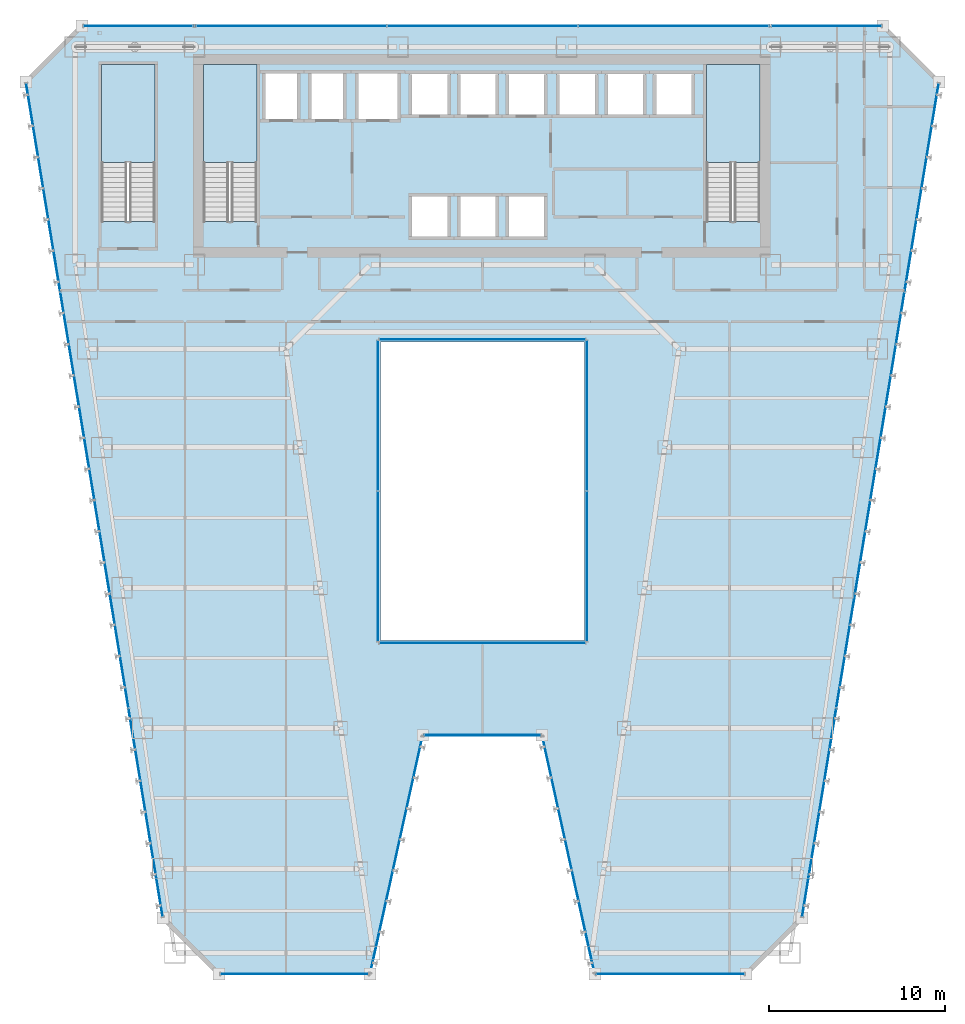
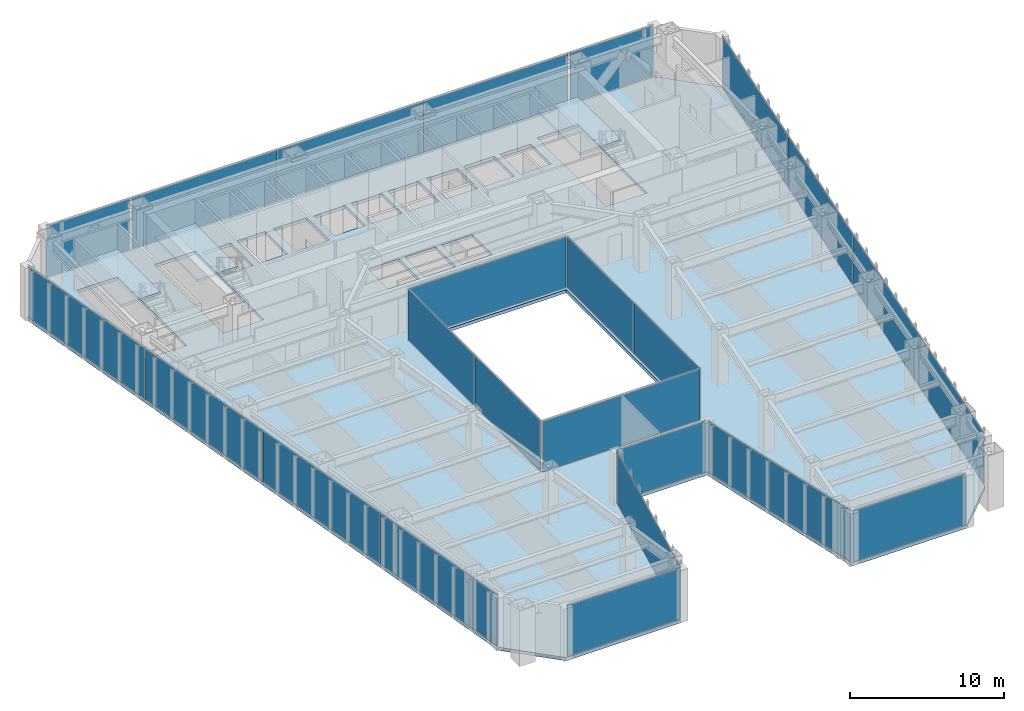
# One storey, part 34 of 47: 24 plates, 4 slabs, 17 elements without a shape of their own.
"""IFC4 building model written with IfcOpenShell, lengths in metres."""

from ifc_helpers import new_model, si_unit, direction, frame, origin, origin_2d, place, context, subcontext, project, spatial, polyline, rectangle, outline, extrude, material, layer, layer_set, type_object, element, aggregate, save


model = new_model("IFC4")

# Units and contexts
model_context = context("Model", 3, precision=1e-05, world=origin(), true_north=direction((0.0, 1.0)))
body_context = subcontext(model_context, "Body", "Model", "MODEL_VIEW")
ifc_project = project(units=[si_unit("LENGTHUNIT", "METRE"), si_unit("AREAUNIT", "SQUARE_METRE"), si_unit("VOLUMEUNIT", "CUBIC_METRE"), si_unit("PLANEANGLEUNIT", "RADIAN"), si_unit("MASSUNIT", "GRAM", prefix="KILO")], contexts=[model_context])

# Site, building, storey
site_placement = place(None, origin())
site = spatial("IfcSite", under=ifc_project, at=site_placement, CompositionType="ELEMENT")
building_placement = place(site_placement, origin())
building = spatial("IfcBuilding", under=site, at=building_placement, Name="Saevonmaru Cultural Tower", CompositionType="ELEMENT")
storey_placement = place(building_placement, frame((0.0, 0.0, 51.60009765625)))
storey = spatial("IfcBuildingStorey", under=building, at=storey_placement, Name="L10", CompositionType="ELEMENT", Elevation=51.60009765625)

# Curtain wall, plate
ifc_material_1 = material(Name="Satin Bronze Anodised Aluminium", Category="aluminium")
curtain_wall_type_1 = type_object("IfcCurtainWallType", Name="CW-ATR-GLZ", PredefinedType="NOTDEFINED", material=ifc_material_1)
curtain_wall_1_placement = place(storey_placement, origin())
curtain_wall_1 = element("IfcCurtainWall", 1, at=curtain_wall_1_placement, inside=storey, type_object=curtain_wall_type_1, Name="L10 Vertical Atrium Glazed Smoke Screen 1", PredefinedType="NOTDEFINED")
ifc_material_2 = material(Name="Fire-Rated Laminated Atrium Glass", Category="glass")
ifc_layer_1 = layer(ifc_material_2, 0.031982421875, Name="Fire-Rated Laminated Atrium Glass")
ifc_layer_set_1 = layer_set([ifc_layer_1], Name="Fire-Rated Laminated Atrium Glass")
plate_type_1 = type_object("IfcPlateType", Name="PN-GLZ-ATR-INT", PredefinedType="CURTAIN_PANEL", material=ifc_layer_set_1)
plate_1_placement = place(storey_placement, frame((30.0, 20.85009765625, 0.06689453125), z_axis=(0.0, 0.0, 1.0), x_axis=(1.0, 0.0, 0.0)))
plate_1 = element("IfcPlate", 2, at=plate_1_placement, type_object=plate_type_1, Name="CW-ATR-L10-1 panel 1.1", PredefinedType="CURTAIN_PANEL", context=body_context, shape_type="SweptSolid", body=[
    extrude(rectangle(XDim=11.7109375, YDim=0.031982421875, at=origin_2d()), origin(), (0.0, 0.0, 1.0), 4.01611328125),
])
aggregate(curtain_wall_1, [plate_1])

# Curtain wall, plates
curtain_wall_2_placement = place(storey_placement, origin())
curtain_wall_2 = element("IfcCurtainWall", 3, at=curtain_wall_2_placement, inside=storey, type_object=curtain_wall_type_1, Name="L10 Vertical Atrium Glazed Smoke Screen 2", PredefinedType="NOTDEFINED")
plate_2_placement = place(storey_placement, frame((35.949951171875, 25.205078125, 0.06689453125), z_axis=(0.0, 0.0, 1.0), x_axis=(0.0, 1.0, 0.0)))
plate_2 = element("IfcPlate", 4, at=plate_2_placement, type_object=plate_type_1, Name="CW-ATR-L10-2 panel 1.1", PredefinedType="CURTAIN_PANEL", context=body_context, shape_type="SweptSolid", body=[
    extrude(rectangle(XDim=8.52099609375, YDim=0.031982421875, at=origin_2d()), origin(), (0.0, 0.0, 1.0), 4.01611328125),
])
plate_3_placement = place(storey_placement, frame((35.949951171875, 33.794921875, 0.06689453125), z_axis=(0.0, 0.0, 1.0), x_axis=(0.0, 1.0, 0.0)))
plate_3 = element("IfcPlate", 5, at=plate_3_placement, type_object=plate_type_1, Name="CW-ATR-L10-2 panel 2.1", PredefinedType="CURTAIN_PANEL", context=body_context, shape_type="SweptSolid", body=[
    extrude(rectangle(XDim=8.52099609375, YDim=0.031982421875, at=origin_2d()), origin(), (0.0, 0.0, 1.0), 4.01611328125),
])
aggregate(curtain_wall_2, [plate_2, plate_3])

# Curtain wall, plate
curtain_wall_3_placement = place(storey_placement, origin())
curtain_wall_3 = element("IfcCurtainWall", 6, at=curtain_wall_3_placement, inside=storey, type_object=curtain_wall_type_1, Name="L10 Vertical Atrium Glazed Smoke Screen 3", PredefinedType="NOTDEFINED")
plate_4_placement = place(storey_placement, frame((30.0, 38.14990234375, 0.06689453125), z_axis=(0.0, 0.0, 1.0), x_axis=(-1.0, 0.0, 0.0)))
plate_4 = element("IfcPlate", 7, at=plate_4_placement, type_object=plate_type_1, Name="CW-ATR-L10-3 panel 1.1", PredefinedType="CURTAIN_PANEL", context=body_context, shape_type="SweptSolid", body=[
    extrude(rectangle(XDim=11.7109375, YDim=0.031982421875, at=origin_2d()), origin(), (0.0, 0.0, 1.0), 4.01611328125),
])
aggregate(curtain_wall_3, [plate_4])

# Curtain wall, plates
curtain_wall_4_placement = place(storey_placement, origin())
curtain_wall_4 = element("IfcCurtainWall", 8, at=curtain_wall_4_placement, inside=storey, type_object=curtain_wall_type_1, Name="L10 Vertical Atrium Glazed Smoke Screen 4", PredefinedType="NOTDEFINED")
plate_5_placement = place(storey_placement, frame((24.050048828125, 33.794921875, 0.06689453125), z_axis=(0.0, 0.0, 1.0), x_axis=(0.0, -1.0, 0.0)))
plate_5 = element("IfcPlate", 9, at=plate_5_placement, type_object=plate_type_1, Name="CW-ATR-L10-4 panel 1.1", PredefinedType="CURTAIN_PANEL", context=body_context, shape_type="SweptSolid", body=[
    extrude(rectangle(XDim=8.52099609375, YDim=0.031982421875, at=origin_2d()), origin(), (0.0, 0.0, 1.0), 4.01611328125),
])
plate_6_placement = place(storey_placement, frame((24.050048828125, 25.205078125, 0.06689453125), z_axis=(0.0, 0.0, 1.0), x_axis=(0.0, -1.0, 0.0)))
plate_6 = element("IfcPlate", 10, at=plate_6_placement, type_object=plate_type_1, Name="CW-ATR-L10-4 panel 2.1", PredefinedType="CURTAIN_PANEL", context=body_context, shape_type="SweptSolid", body=[
    extrude(rectangle(XDim=8.52099609375, YDim=0.031982421875, at=origin_2d()), origin(), (0.0, 0.0, 1.0), 4.01611328125),
])
aggregate(curtain_wall_4, [plate_5, plate_6])

# Curtain wall, plate
curtain_wall_type_2 = type_object("IfcCurtainWallType", Name="CW-TYP-A", PredefinedType="NOTDEFINED", material=ifc_material_1)
curtain_wall_5_placement = place(storey_placement, origin())
curtain_wall_5 = element("IfcCurtainWall", 11, at=curtain_wall_5_placement, inside=storey, type_object=curtain_wall_type_2, Name="L10 Unitised Curtain Wall E2", PredefinedType="NOTDEFINED")
ifc_material_3 = material(Name="Triple Silver Low-E Insulating Glass", Category="glass")
ifc_layer_2 = layer(ifc_material_3, 0.035888671875, Name="Triple Silver Low-E Insulating Glass")
ifc_layer_set_2 = layer_set([ifc_layer_2], Name="Triple Silver Low-E Insulating Glass")
plate_type_2 = type_object("IfcPlateType", Name="PN-GLZ-IGU", PredefinedType="CURTAIN_PANEL", material=ifc_layer_set_2)
plate_7_placement = place(storey_placement, frame((19.300048828125, 2.0, 0.06689453125), z_axis=(0.0, 0.0, 1.0), x_axis=(1.0, 0.0, 0.0)))
plate_7 = element("IfcPlate", 12, at=plate_7_placement, type_object=plate_type_2, Name="CW-TW-L10-E2 panel 1.1", PredefinedType="CURTAIN_PANEL", context=body_context, shape_type="SweptSolid", body=[
    extrude(rectangle(XDim=8.410888671875, YDim=0.035888671875, at=origin_2d()), origin(), (0.0, 0.0, 1.0), 4.01611328125),
])
aggregate(curtain_wall_5, [plate_7])

curtain_wall_6_placement = place(storey_placement, origin())
curtain_wall_6 = element("IfcCurtainWall", 13, at=curtain_wall_6_placement, inside=storey, type_object=curtain_wall_type_2, Name="L10 Unitised Curtain Wall E3", PredefinedType="NOTDEFINED")
plate_8_placement = place(storey_placement, frame((25.10009765625, 8.800048828125, 0.06689453125), z_axis=(0.0, 0.0, 1.0), x_axis=(0.215413319953, 0.976522965212, 0.0)))
plate_8 = element("IfcPlate", 14, at=plate_8_placement, type_object=plate_type_2, Name="CW-TW-L10-E3 panel 1.1", PredefinedType="CURTAIN_PANEL", context=body_context, shape_type="SweptSolid", body=[
    extrude(rectangle(XDim=13.738037109375, YDim=0.035888671875, at=origin_2d()), origin(), (0.0, 0.0, 1.0), 4.01611328125),
])
aggregate(curtain_wall_6, [plate_8])

curtain_wall_7_placement = place(storey_placement, origin())
curtain_wall_7 = element("IfcCurtainWall", 15, at=curtain_wall_7_placement, inside=storey, type_object=curtain_wall_type_2, Name="L10 Unitised Curtain Wall E4", PredefinedType="NOTDEFINED")
plate_9_placement = place(storey_placement, frame((30.0, 15.60009765625, 0.06689453125), z_axis=(0.0, 0.0, 1.0), x_axis=(1.0, 0.0, 0.0)))
plate_9 = element("IfcPlate", 16, at=plate_9_placement, type_object=plate_type_2, Name="CW-TW-L10-E4 panel 1.1", PredefinedType="CURTAIN_PANEL", context=body_context, shape_type="SweptSolid", body=[
    extrude(rectangle(XDim=6.611083984375, YDim=0.035888671875, at=origin_2d()), origin(), (0.0, 0.0, 1.0), 4.01611328125),
])
aggregate(curtain_wall_7, [plate_9])

curtain_wall_8_placement = place(storey_placement, origin())
curtain_wall_8 = element("IfcCurtainWall", 17, at=curtain_wall_8_placement, inside=storey, type_object=curtain_wall_type_2, Name="L10 Unitised Curtain Wall E5", PredefinedType="NOTDEFINED")
plate_10_placement = place(storey_placement, frame((34.89990234375, 8.800048828125, 0.06689453125), z_axis=(0.0, 0.0, 1.0), x_axis=(0.215413319953, -0.976522965212, 0.0)))
plate_10 = element("IfcPlate", 18, at=plate_10_placement, type_object=plate_type_2, Name="CW-TW-L10-E5 panel 1.1", PredefinedType="CURTAIN_PANEL", context=body_context, shape_type="SweptSolid", body=[
    extrude(rectangle(XDim=13.738037109375, YDim=0.035888671875, at=origin_2d()), origin(), (0.0, 0.0, 1.0), 4.01611328125),
])
aggregate(curtain_wall_8, [plate_10])

curtain_wall_9_placement = place(storey_placement, origin())
curtain_wall_9 = element("IfcCurtainWall", 19, at=curtain_wall_9_placement, inside=storey, type_object=curtain_wall_type_2, Name="L10 Unitised Curtain Wall E6", PredefinedType="NOTDEFINED")
plate_11_placement = place(storey_placement, frame((40.699951171875, 2.0, 0.06689453125), z_axis=(0.0, 0.0, 1.0), x_axis=(1.0, 0.0, 0.0)))
plate_11 = element("IfcPlate", 20, at=plate_11_placement, type_object=plate_type_2, Name="CW-TW-L10-E6 panel 1.1", PredefinedType="CURTAIN_PANEL", context=body_context, shape_type="SweptSolid", body=[
    extrude(rectangle(XDim=8.410888671875, YDim=0.035888671875, at=origin_2d()), origin(), (0.0, 0.0, 1.0), 4.01611328125),
])
aggregate(curtain_wall_9, [plate_11])

# Curtain wall, plates
curtain_wall_10_placement = place(storey_placement, origin())
curtain_wall_10 = element("IfcCurtainWall", 21, at=curtain_wall_10_placement, inside=storey, type_object=curtain_wall_type_2, Name="L10 Unitised Curtain Wall E8", PredefinedType="NOTDEFINED")
plate_12_placement = place(storey_placement, frame((49.182373046875, 11.1943359375, 0.06689453125), z_axis=(0.0, 0.0, 1.0), x_axis=(0.161708868641, 0.986838508472, 0.0)))
plate_12 = element("IfcPlate", 22, at=plate_12_placement, type_object=plate_type_2, Name="CW-TW-L10-E8 panel 1.1", PredefinedType="CURTAIN_PANEL", context=body_context, shape_type="SweptSolid", body=[
    extrude(rectangle(XDim=11.959716796875, YDim=0.035888671875, at=origin_2d()), origin(), (0.0, 0.0, 1.0), 4.01611328125),
])
plate_13_placement = place(storey_placement, frame((51.12744140625, 23.064697265625, 0.06689453125), z_axis=(0.0, 0.0, 1.0), x_axis=(0.161708868641, 0.986838508472, 0.0)))
plate_13 = element("IfcPlate", 23, at=plate_13_placement, type_object=plate_type_2, Name="CW-TW-L10-E8 panel 2.1", PredefinedType="CURTAIN_PANEL", context=body_context, shape_type="SweptSolid", body=[
    extrude(rectangle(XDim=11.959716796875, YDim=0.035888671875, at=origin_2d()), origin(), (0.0, 0.0, 1.0), 4.01611328125),
])
plate_14_placement = place(storey_placement, frame((53.072509765625, 34.935302734375, 0.06689453125), z_axis=(0.0, 0.0, 1.0), x_axis=(0.161708868641, 0.986838508472, 0.0)))
plate_14 = element("IfcPlate", 24, at=plate_14_placement, type_object=plate_type_2, Name="CW-TW-L10-E8 panel 3.1", PredefinedType="CURTAIN_PANEL", context=body_context, shape_type="SweptSolid", body=[
    extrude(rectangle(XDim=11.959716796875, YDim=0.035888671875, at=origin_2d()), origin(), (0.0, 0.0, 1.0), 4.01611328125),
])
plate_15_placement = place(storey_placement, frame((55.017822265625, 46.8056640625, 0.06689453125), z_axis=(0.0, 0.0, 1.0), x_axis=(0.161708868641, 0.986838508472, 0.0)))
plate_15 = element("IfcPlate", 25, at=plate_15_placement, type_object=plate_type_2, Name="CW-TW-L10-E8 panel 4.1", PredefinedType="CURTAIN_PANEL", context=body_context, shape_type="SweptSolid", body=[
    extrude(rectangle(XDim=11.959716796875, YDim=0.035888671875, at=origin_2d()), origin(), (0.0, 0.0, 1.0), 4.01611328125),
])
aggregate(curtain_wall_10, [plate_12, plate_13, plate_14, plate_15])

curtain_wall_11_placement = place(storey_placement, origin())
curtain_wall_11 = element("IfcCurtainWall", 26, at=curtain_wall_11_placement, inside=storey, type_object=curtain_wall_type_2, Name="L10 North Spine Unitised Curtain Wall E10B", PredefinedType="NOTDEFINED")
plate_16_placement = place(storey_placement, frame((40.893310546875, 56.0, 0.06689453125), z_axis=(0.0, 0.0, 1.0), x_axis=(-1.0, 0.0, 0.0)))
plate_16 = element("IfcPlate", 27, at=plate_16_placement, type_object=plate_type_2, Name="CW-TW-L10-E10B panel 1.1", PredefinedType="CURTAIN_PANEL", context=body_context, shape_type="SweptSolid", body=[
    extrude(rectangle(XDim=10.82421875, YDim=0.035888671875, at=origin_2d()), origin(), (0.0, 0.0, 1.0), 4.01611328125),
])
plate_17_placement = place(storey_placement, frame((30.0, 56.0, 0.06689453125), z_axis=(0.0, 0.0, 1.0), x_axis=(-1.0, 0.0, 0.0)))
plate_17 = element("IfcPlate", 28, at=plate_17_placement, type_object=plate_type_2, Name="CW-TW-L10-E10B panel 2.1", PredefinedType="CURTAIN_PANEL", context=body_context, shape_type="SweptSolid", body=[
    extrude(rectangle(XDim=10.82421875, YDim=0.035888671875, at=origin_2d()), origin(), (0.0, 0.0, 1.0), 4.01611328125),
])
plate_18_placement = place(storey_placement, frame((19.106689453125, 56.0, 0.06689453125), z_axis=(0.0, 0.0, 1.0), x_axis=(-1.0, 0.0, 0.0)))
plate_18 = element("IfcPlate", 29, at=plate_18_placement, type_object=plate_type_2, Name="CW-TW-L10-E10B panel 3.1", PredefinedType="CURTAIN_PANEL", context=body_context, shape_type="SweptSolid", body=[
    extrude(rectangle(XDim=10.82421875, YDim=0.035888671875, at=origin_2d()), origin(), (0.0, 0.0, 1.0), 4.01611328125),
])
aggregate(curtain_wall_11, [plate_16, plate_17, plate_18])

curtain_wall_12_placement = place(storey_placement, origin())
curtain_wall_12 = element("IfcCurtainWall", 30, at=curtain_wall_12_placement, inside=storey, type_object=curtain_wall_type_2, Name="L10 Unitised Curtain Wall E12", PredefinedType="NOTDEFINED")
plate_19_placement = place(storey_placement, frame((4.982177734375, 46.8056640625, 0.06689453125), z_axis=(0.0, 0.0, 1.0), x_axis=(0.161708868641, -0.986838508472, 0.0)))
plate_19 = element("IfcPlate", 31, at=plate_19_placement, type_object=plate_type_2, Name="CW-TW-L10-E12 panel 1.1", PredefinedType="CURTAIN_PANEL", context=body_context, shape_type="SweptSolid", body=[
    extrude(rectangle(XDim=11.959716796875, YDim=0.035888671875, at=origin_2d()), origin(), (0.0, 0.0, 1.0), 4.01611328125),
])
plate_20_placement = place(storey_placement, frame((6.927490234375, 34.935302734375, 0.06689453125), z_axis=(0.0, 0.0, 1.0), x_axis=(0.161708868641, -0.986838508472, 0.0)))
plate_20 = element("IfcPlate", 32, at=plate_20_placement, type_object=plate_type_2, Name="CW-TW-L10-E12 panel 2.1", PredefinedType="CURTAIN_PANEL", context=body_context, shape_type="SweptSolid", body=[
    extrude(rectangle(XDim=11.959716796875, YDim=0.035888671875, at=origin_2d()), origin(), (0.0, 0.0, 1.0), 4.01611328125),
])
plate_21_placement = place(storey_placement, frame((8.87255859375, 23.064697265625, 0.06689453125), z_axis=(0.0, 0.0, 1.0), x_axis=(0.161708868641, -0.986838508472, 0.0)))
plate_21 = element("IfcPlate", 33, at=plate_21_placement, type_object=plate_type_2, Name="CW-TW-L10-E12 panel 3.1", PredefinedType="CURTAIN_PANEL", context=body_context, shape_type="SweptSolid", body=[
    extrude(rectangle(XDim=11.959716796875, YDim=0.035888671875, at=origin_2d()), origin(), (0.0, 0.0, 1.0), 4.01611328125),
])
plate_22_placement = place(storey_placement, frame((10.817626953125, 11.1943359375, 0.06689453125), z_axis=(0.0, 0.0, 1.0), x_axis=(0.161708868641, -0.986838508472, 0.0)))
plate_22 = element("IfcPlate", 34, at=plate_22_placement, type_object=plate_type_2, Name="CW-TW-L10-E12 panel 4.1", PredefinedType="CURTAIN_PANEL", context=body_context, shape_type="SweptSolid", body=[
    extrude(rectangle(XDim=11.959716796875, YDim=0.035888671875, at=origin_2d()), origin(), (0.0, 0.0, 1.0), 4.01611328125),
])
aggregate(curtain_wall_12, [plate_19, plate_20, plate_21, plate_22])

# Curtain wall, plate
curtain_wall_13_placement = place(storey_placement, origin())
curtain_wall_13 = element("IfcCurtainWall", 35, at=curtain_wall_13_placement, inside=storey, type_object=curtain_wall_type_2, Name="L10 East Braced Bay Spandrel Curtain Wall E10A", PredefinedType="NOTDEFINED")
ifc_material_4 = material(Name="Insulated Satin Bronze Aluminium Spandrel Panel", Category="aluminium")
ifc_layer_3 = layer(ifc_material_4, 0.0400390625, Name="Insulated Satin Bronze Aluminium Spandrel Panel")
ifc_layer_set_3 = layer_set([ifc_layer_3], Name="Insulated Satin Bronze Aluminium Spandrel Panel")
plate_type_3 = type_object("IfcPlateType", Name="PN-SPANDREL-BRONZE", PredefinedType="CURTAIN_PANEL", material=ifc_layer_set_3)
plate_23_placement = place(storey_placement, frame((49.60009765625, 56.0, 0.06689453125), z_axis=(0.0, 0.0, 1.0), x_axis=(-1.0, 0.0, 0.0)))
plate_23 = element("IfcPlate", 36, at=plate_23_placement, type_object=plate_type_3, Name="CW-TW-L10-E10A panel 1.1", PredefinedType="CURTAIN_PANEL", context=body_context, shape_type="SweptSolid", body=[
    extrude(rectangle(XDim=6.2109375, YDim=0.035888671875, at=origin_2d()), origin(), (0.0, 0.0, 1.0), 4.01611328125),
])
aggregate(curtain_wall_13, [plate_23])

curtain_wall_14_placement = place(storey_placement, origin())
curtain_wall_14 = element("IfcCurtainWall", 37, at=curtain_wall_14_placement, inside=storey, type_object=curtain_wall_type_2, Name="L10 West Braced Bay Spandrel Curtain Wall E10C", PredefinedType="NOTDEFINED")
plate_24_placement = place(storey_placement, frame((10.39990234375, 56.0, 0.06689453125), z_axis=(0.0, 0.0, 1.0), x_axis=(-1.0, 0.0, 0.0)))
plate_24 = element("IfcPlate", 38, at=plate_24_placement, type_object=plate_type_3, Name="CW-TW-L10-E10C panel 1.1", PredefinedType="CURTAIN_PANEL", context=body_context, shape_type="SweptSolid", body=[
    extrude(rectangle(XDim=6.2109375, YDim=0.035888671875, at=origin_2d()), origin(), (0.0, 0.0, 1.0), 4.01611328125),
])
aggregate(curtain_wall_14, [plate_24])

# Slab
ifc_material_5 = material(Name="Concrete C40/50", Category="concrete")
ifc_layer_4 = layer(ifc_material_5, 0.25, Name="Concrete C40/50")
ifc_layer_set_4 = layer_set([ifc_layer_4], Name="Concrete C40/50")
slab_type_1 = type_object("IfcSlabType", Name="SL-FLR-250", PredefinedType="FLOOR", material=ifc_layer_set_4)
slab_1_placement = place(storey_placement, frame((0.0, 0.0, -0.25)))
element("IfcSlab", 39, at=slab_1_placement, inside=storey, type_object=slab_type_1, Name="L10 Tower Structural Floor Slab", PredefinedType="FLOOR", context=body_context, shape_type="SweptSolid", body=[
    extrude(outline(polyline([(11.800048828125, 5.199951171875), (15.0, 2.0), (23.60009765625, 2.0), (26.60009765625, 15.60009765625), (33.39990234375, 15.60009765625), (36.39990234375, 2.0), (45.0, 2.0), (48.199951171875, 5.199951171875), (56.0, 52.800048828125), (52.800048828125, 56.0), (7.199951171875, 56.0), (4.0, 52.800048828125), (11.800048828125, 5.199951171875)]), holes=[polyline([(45.800048828125, 44.875), (42.75, 44.875), (42.75, 53.800048828125), (45.800048828125, 53.800048828125), (45.800048828125, 44.875)]), polyline([(39.75, 50.800048828125), (39.75, 53.39990234375), (42.050048828125, 53.39990234375), (42.050048828125, 50.800048828125), (39.75, 50.800048828125)]), polyline([(37.0, 50.800048828125), (37.0, 53.39990234375), (39.300048828125, 53.39990234375), (39.300048828125, 50.800048828125), (37.0, 50.800048828125)]), polyline([(34.25, 50.800048828125), (34.25, 53.39990234375), (36.550048828125, 53.39990234375), (36.550048828125, 50.800048828125), (34.25, 50.800048828125)]), polyline([(24.199951171875, 21.0), (24.199951171875, 38.0), (35.800048828125, 38.0), (35.800048828125, 21.0), (24.199951171875, 21.0)]), polyline([(31.35009765625, 50.800048828125), (31.35009765625, 53.39990234375), (33.64990234375, 53.39990234375), (33.64990234375, 50.800048828125), (31.35009765625, 50.800048828125)]), polyline([(31.35009765625, 43.85009765625), (31.35009765625, 46.449951171875), (33.64990234375, 46.449951171875), (33.64990234375, 43.85009765625), (31.35009765625, 43.85009765625)]), polyline([(28.60009765625, 43.85009765625), (28.60009765625, 46.449951171875), (30.89990234375, 46.449951171875), (30.89990234375, 43.85009765625), (28.60009765625, 43.85009765625)]), polyline([(28.60009765625, 50.800048828125), (28.60009765625, 53.39990234375), (30.89990234375, 53.39990234375), (30.89990234375, 50.800048828125), (28.60009765625, 50.800048828125)]), polyline([(25.85009765625, 50.800048828125), (25.85009765625, 53.39990234375), (28.14990234375, 53.39990234375), (28.14990234375, 50.800048828125), (25.85009765625, 50.800048828125)]), polyline([(25.85009765625, 43.85009765625), (25.85009765625, 46.449951171875), (28.14990234375, 46.449951171875), (28.14990234375, 43.85009765625), (25.85009765625, 43.85009765625)]), polyline([(22.800048828125, 50.550048828125), (22.800048828125, 53.449951171875), (25.300048828125, 53.449951171875), (25.300048828125, 50.550048828125), (22.800048828125, 50.550048828125)]), polyline([(20.10009765625, 50.550048828125), (20.10009765625, 53.449951171875), (22.199951171875, 53.449951171875), (22.199951171875, 50.550048828125), (20.10009765625, 50.550048828125)]), polyline([(17.5, 50.550048828125), (17.5, 53.449951171875), (19.60009765625, 53.449951171875), (19.60009765625, 50.550048828125), (17.5, 50.550048828125)]), polyline([(17.14990234375, 44.875), (14.10009765625, 44.875), (14.10009765625, 53.800048828125), (17.14990234375, 53.800048828125), (17.14990234375, 44.875)]), polyline([(11.35009765625, 44.875), (8.300048828125, 44.875), (8.300048828125, 53.800048828125), (11.35009765625, 53.800048828125), (11.35009765625, 44.875)])]), origin(), (0.0, 0.0, 1.0), 0.25),
])

# Stair, slab
stair_type = type_object("IfcStairType", Name="STR-DOGLEG-RC", PredefinedType="HALF_TURN_STAIR", material=ifc_material_5)
stair_1_placement = place(storey_placement, origin())
stair_1 = element("IfcStair", 40, at=stair_1_placement, inside=storey, type_object=stair_type, Name="L10 Protected exit stair ST-1", PredefinedType="HALF_TURN_STAIR")
ifc_layer_5 = layer(ifc_material_5, 0.199951171875, Name="Concrete C40/50")
ifc_layer_set_5 = layer_set([ifc_layer_5], Name="Concrete C40/50")
slab_type_2 = type_object("IfcSlabType", Name="SL-STAIR-LANDING", PredefinedType="LANDING", material=ifc_layer_set_5)
slab_2_placement = place(storey_placement, frame((0.0, 0.0, 2.0)))
slab_2 = element("IfcSlab", 41, at=slab_2_placement, type_object=slab_type_2, Name="ST-1-L10 landing 1", PredefinedType="LANDING", context=body_context, shape_type="SweptSolid", body=[
    extrude(outline(polyline([(17.14990234375, 48.2099609375), (17.14990234375, 53.800048828125), (14.10009765625, 53.800048828125), (14.10009765625, 48.2099609375), (17.14990234375, 48.2099609375)])), origin(), (0.0, 0.0, 1.0), 0.199951171875),
])
aggregate(stair_1, [slab_2])

stair_2_placement = place(storey_placement, origin())
stair_2 = element("IfcStair", 42, at=stair_2_placement, inside=storey, type_object=stair_type, Name="L10 Protected exit stair ST-2", PredefinedType="HALF_TURN_STAIR")
slab_3_placement = place(storey_placement, frame((0.0, 0.0, 2.0)))
slab_3 = element("IfcSlab", 43, at=slab_3_placement, type_object=slab_type_2, Name="ST-2-L10 landing 1", PredefinedType="LANDING", context=body_context, shape_type="SweptSolid", body=[
    extrude(outline(polyline([(45.800048828125, 48.2099609375), (45.800048828125, 53.800048828125), (42.75, 53.800048828125), (42.75, 48.2099609375), (45.800048828125, 48.2099609375)])), origin(), (0.0, 0.0, 1.0), 0.199951171875),
])
aggregate(stair_2, [slab_3])

stair_3_placement = place(storey_placement, origin())
stair_3 = element("IfcStair", 44, at=stair_3_placement, inside=storey, type_object=stair_type, Name="L10 Protected exit stair ST-3", PredefinedType="HALF_TURN_STAIR")
slab_4_placement = place(storey_placement, frame((0.0, 0.0, 2.0)))
slab_4 = element("IfcSlab", 45, at=slab_4_placement, type_object=slab_type_2, Name="ST-3-L10 landing 1", PredefinedType="LANDING", context=body_context, shape_type="SweptSolid", body=[
    extrude(outline(polyline([(11.35009765625, 48.2099609375), (11.35009765625, 53.800048828125), (8.300048828125, 53.800048828125), (8.300048828125, 48.2099609375), (11.35009765625, 48.2099609375)])), origin(), (0.0, 0.0, 1.0), 0.199951171875),
])
aggregate(stair_3, [slab_4])

save(model, "model.ifc")
